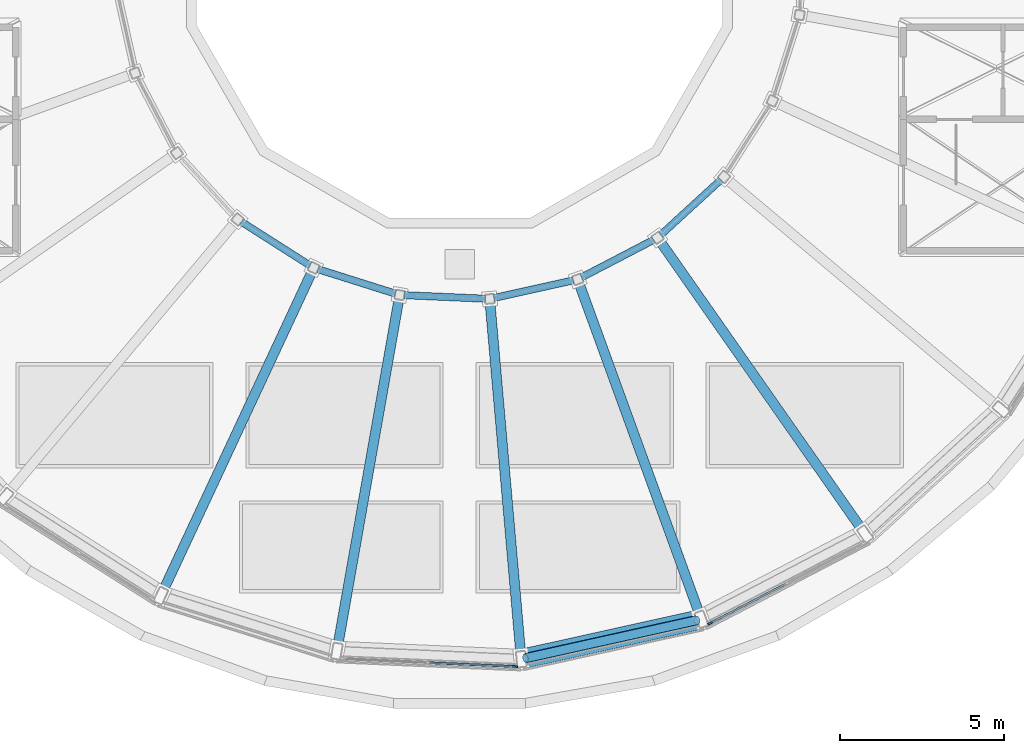
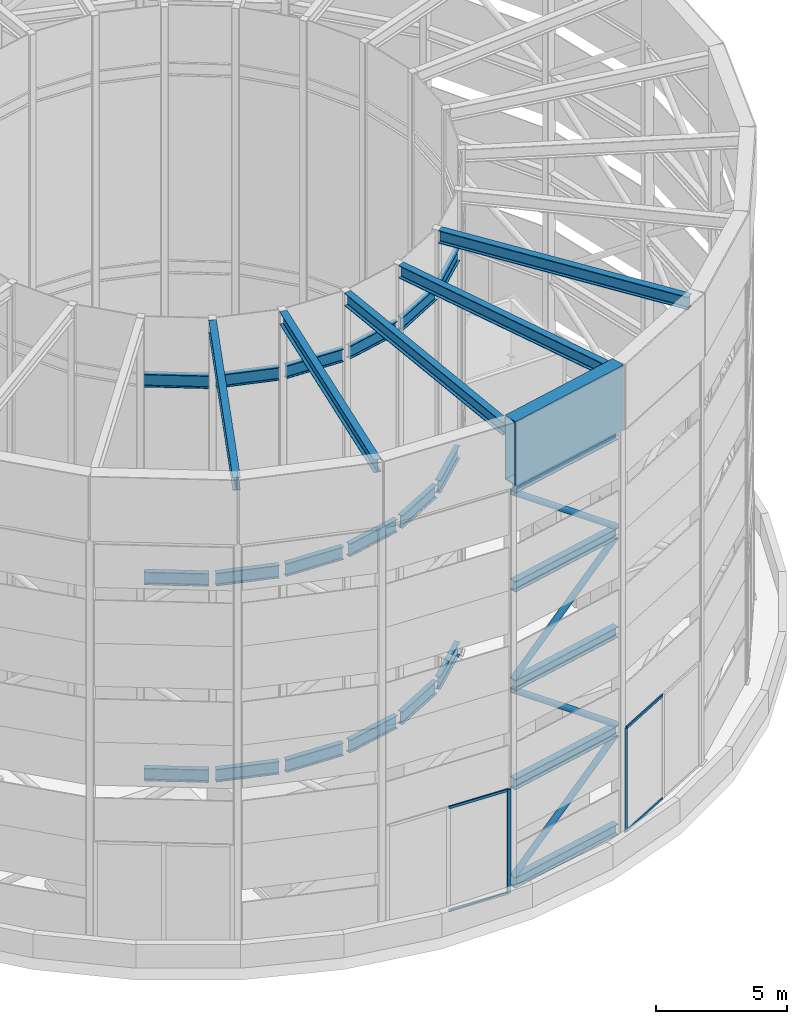
# One storey, part 5 of 20: 29 beams, 10 members, 2 elements without a shape of their own.
"""IFC4 building model written with IfcOpenShell, lengths in metres."""

from ifc_helpers import new_model, si_unit, direction, frame, origin, origin_2d, place, context, subcontext, project, spatial, rectangle, hollow_rectangle, hollow_circle, i_section, extrude, material, layer, layer_set, material_profile, profile_set, type_object, element, aggregate, save


model = new_model("IFC4")

# Units and contexts
model_context = context("Model", 3, precision=1e-05, world=origin(), true_north=direction((0.0, 1.0)))
body_context = subcontext(model_context, "Body", "Model", "MODEL_VIEW")
ifc_project = project(units=[si_unit("LENGTHUNIT", "METRE"), si_unit("AREAUNIT", "SQUARE_METRE"), si_unit("VOLUMEUNIT", "CUBIC_METRE"), si_unit("PLANEANGLEUNIT", "RADIAN"), si_unit("MASSUNIT", "GRAM", prefix="KILO")], contexts=[model_context])

# Site, building, storey
site_placement = place(None, origin())
site = spatial("IfcSite", under=ifc_project, at=site_placement, CompositionType="ELEMENT")
building_placement = place(site_placement, origin())
building = spatial("IfcBuilding", under=site, at=building_placement, Name="Saqina Gate Tower", CompositionType="ELEMENT")
storey_placement = place(building_placement, frame((0.0, 0.0, 284.199951171875)))
storey = spatial("IfcBuildingStorey", under=building, at=storey_placement, Name="RF", CompositionType="ELEMENT", Elevation=284.199951171875)

# Curtain wall, member
ifc_material_1 = material(Name="Aluminium glazing", Category="aluminium")
ifc_layer = layer(ifc_material_1, 0.159912109375)
ifc_layer_set = layer_set([ifc_layer], Name="CWT-5")
curtain_wall_type = type_object("IfcCurtainWallType", Name="CWT-5", PredefinedType="NOTDEFINED", material=ifc_layer_set)
curtain_wall_1_placement = place(storey_placement, origin())
curtain_wall_1 = element("IfcCurtainWall", 1, at=curtain_wall_1_placement, inside=storey, type_object=curtain_wall_type, Name="Crown glazing bay 18", PredefinedType="NOTDEFINED")
ifc_material_2 = material(Name="Aluminium", Category="aluminium")
ifc_material_profile_1 = material_profile(ifc_material_2, rectangle(XDim=0.06005859375, YDim=0.159912109375, at=origin_2d()), Name="Aluminium 60x160")
ifc_profile_set_1 = profile_set([ifc_material_profile_1], Name="Aluminium")
member_type_1 = type_object("IfcMemberType", Name="CWT-5M", PredefinedType="MULLION", material=ifc_profile_set_1)
member_1_placement = place(storey_placement, frame((1.68310546875, -21.64013671875, 0.0), z_axis=(0.0, 0.0, 1.0), x_axis=(0.043629254589, 0.999047790721, 0.0)))
member_1 = element("IfcMember", 2, at=member_1_placement, type_object=member_type_1, Name="CW5-18 mullion 3", PredefinedType="MULLION", context=body_context, shape_type="SweptSolid", body=[
    extrude(rectangle(XDim=0.06005859375, YDim=0.159912109375, at=origin_2d()), origin(), (0.0, 0.0, 1.0), 4.875),
])

curtain_wall_2_placement = place(storey_placement, origin())
curtain_wall_2 = element("IfcCurtainWall", 3, at=curtain_wall_2_placement, inside=storey, type_object=curtain_wall_type, Name="Crown glazing bay 20", PredefinedType="NOTDEFINED")
member_2_placement = place(storey_placement, frame((7.6201171875, -20.32373046875, 0.0), z_axis=(0.0, 0.0, 1.0), x_axis=(-0.461751109849, 0.887009533519, 0.0)))
member_2 = element("IfcMember", 4, at=member_2_placement, type_object=member_type_1, Name="CW5-20 mullion 1", PredefinedType="MULLION", context=body_context, shape_type="SweptSolid", body=[
    extrude(rectangle(XDim=0.06005859375, YDim=0.159912109375, at=origin_2d()), origin(), (0.0, 0.0, 1.0), 4.875),
])

# Member
ifc_material_3 = material(Name="Aluminium", Category="aluminium")
ifc_material_profile_2 = material_profile(ifc_material_3, rectangle(XDim=0.06005859375, YDim=0.1201171875, at=origin_2d()), Name="Aluminium 60x120")
ifc_profile_set_2 = profile_set([ifc_material_profile_2], Name="Aluminium")
member_type_2 = type_object("IfcMemberType", Name="CWT-5T", PredefinedType="USERDEFINED", material=ifc_profile_set_2)
member_3_placement = place(storey_placement, frame((-0.909912109375, -21.52685546875, 0.030029296875), z_axis=(0.999049683206, -0.043585897781, 0.0), x_axis=(0.043585897781, 0.999049683206, 0.0)))
member_3 = element("IfcMember", 5, at=member_3_placement, type_object=member_type_2, Name="CW5-18 transom 2.1", ObjectType="TRANSOM", PredefinedType="USERDEFINED", context=body_context, shape_type="SweptSolid", body=[
    extrude(rectangle(XDim=0.06005859375, YDim=0.1201171875, at=origin_2d()), origin(), (0.0, 0.0, 1.0), 2.5654296875),
])

member_4_placement = place(storey_placement, frame((-0.909912109375, -21.52685546875, 4.844970703125), z_axis=(0.999049683206, -0.043585897781, 0.0), x_axis=(0.043585897781, 0.999049683206, 0.0)))
member_4 = element("IfcMember", 6, at=member_4_placement, type_object=member_type_2, Name="CW5-18 transom 2.2", ObjectType="TRANSOM", PredefinedType="USERDEFINED", context=body_context, shape_type="SweptSolid", body=[
    extrude(rectangle(XDim=0.06005859375, YDim=0.1201171875, at=origin_2d()), origin(), (0.0, 0.0, 1.0), 2.5654296875),
])

aggregate(curtain_wall_1, [member_1, member_3, member_4])

member_5_placement = place(storey_placement, frame((7.646728515625, -20.31005859375, 0.030029296875), z_axis=(0.887018841903, 0.461733228292, 0.0), x_axis=(-0.461733228292, 0.887018841903, 0.0)))
member_5 = element("IfcMember", 7, at=member_5_placement, type_object=member_type_2, Name="CW5-20 transom 1.1", ObjectType="TRANSOM", PredefinedType="USERDEFINED", context=body_context, shape_type="SweptSolid", body=[
    extrude(rectangle(XDim=0.06005859375, YDim=0.1201171875, at=origin_2d()), origin(), (0.0, 0.0, 1.0), 2.5654296875),
])

member_6_placement = place(storey_placement, frame((7.646728515625, -20.31005859375, 4.844970703125), z_axis=(0.887018841903, 0.461733228292, 0.0), x_axis=(-0.461733228292, 0.887018841903, 0.0)))
member_6 = element("IfcMember", 8, at=member_6_placement, type_object=member_type_2, Name="CW5-20 transom 1.2", ObjectType="TRANSOM", PredefinedType="USERDEFINED", context=body_context, shape_type="SweptSolid", body=[
    extrude(rectangle(XDim=0.06005859375, YDim=0.1201171875, at=origin_2d()), origin(), (0.0, 0.0, 1.0), 2.5654296875),
])

aggregate(curtain_wall_2, [member_2, member_5, member_6])

# Beams
ifc_material_4 = material(Name="Steel S460", Category="steel")
ifc_material_profile_3 = material_profile(ifc_material_4, hollow_rectangle(XDim=0.60009765625, YDim=3.0, WallThickness=0.0400390625, at=origin_2d()), Name="BOX 600x3000x40")
ifc_profile_set_3 = profile_set([ifc_material_profile_3], Name="Steel S460")
beam_type_1 = type_object("IfcBeamType", Name="STR-CROWN CAP GIRDER-BOX 600x3000x40", PredefinedType="BEAM", material=ifc_profile_set_3)
beam_1_placement = place(storey_placement, frame((1.873779296875, -21.418212890625, 20.5), z_axis=(0.976295425331, 0.216442238202, 0.0), x_axis=(-0.216442238202, 0.976295425331, 0.0)))
element("IfcBeam", 9, at=beam_1_placement, inside=storey, type_object=beam_type_1, Name="CROWN CAP GIRDER 19", PredefinedType="BEAM", context=body_context, shape_type="SweptSolid", body=[
    extrude(hollow_rectangle(XDim=0.60009765625, YDim=3.0, WallThickness=0.0400390625, at=origin_2d()), origin(), (0.0, 0.0, 1.0), 5.61279296875),
])
ifc_material_5 = material(Name="Steel S460", Category="steel")
ifc_material_profile_4 = material_profile(ifc_material_5, i_section(OverallWidth=0.300048828125, OverallDepth=0.60009765625, WebThickness=0.015380859375, FlangeThickness=0.030029296875, FilletRadius=0.027099609375, at=origin_2d()), Name="HE 600 B")
ifc_profile_set_4 = profile_set([ifc_material_profile_4], Name="Steel S460")
beam_type_2 = type_object("IfcBeamType", Name="STR-CROWN DECK BEAM-HE 600 B", PredefinedType="BEAM", material=ifc_profile_set_4)
for number, where, z_axis, x_axis, name in (
    (10, (-4.4931640625, -9.6357421875, 21.400146484375), (-0.422623655806, -0.906305271723, 0.0), (0.906305271723, -0.422623655806, 0.0), "CROWN DECK BEAM 17"),
    (11, (-1.84619140625, -10.470458984375, 21.400146484375), (-0.173656179436, -0.984806342051, 0.0), (0.984806342051, -0.173656179436, 0.0), "CROWN DECK BEAM 18"),
    (12, (0.9267578125, -10.591552734375, 21.400146484375), (0.087140011874, -0.99619607424, 0.0), (0.99619607424, 0.087140011874, 0.0), "CROWN DECK BEAM 19"),
):
    element("IfcBeam", number, at=place(storey_placement, frame(where, z_axis=z_axis, x_axis=x_axis)), inside=storey, type_object=beam_type_2, Name=name, PredefinedType="BEAM", context=body_context, shape_type="SweptSolid", body=[
        extrude(i_section(OverallWidth=0.300048828125, OverallDepth=0.60009765625, WebThickness=0.015380859375, FlangeThickness=0.030029296875, FilletRadius=0.027099609375, at=origin_2d()), origin(), (0.0, 0.0, 1.0), 10.568115234375),
    ])
beam_2_placement = place(storey_placement, frame((3.636474609375, -9.99072265625, 21.400146484375), z_axis=(0.342002737309, -0.939698955875, 0.0), x_axis=(0.939698955875, 0.342002737309, 0.0)))
element("IfcBeam", 13, at=beam_2_placement, inside=storey, type_object=beam_type_2, Name="CROWN DECK BEAM 20", PredefinedType="BEAM", context=body_context, shape_type="SweptSolid", body=[
    extrude(i_section(OverallWidth=0.300048828125, OverallDepth=0.60009765625, WebThickness=0.015380859375, FlangeThickness=0.030029296875, FilletRadius=0.027099609375, at=origin_2d()), origin(), (0.0, 0.0, 1.0), 10.56787109375),
])
beam_3_placement = place(storey_placement, frame((6.09814453125, -8.709228515625, 21.400146484375), z_axis=(0.573592574994, -0.819140743652, 0.0), x_axis=(0.819140743652, 0.573592574994, 0.0)))
element("IfcBeam", 14, at=beam_3_placement, inside=storey, type_object=beam_type_2, Name="CROWN DECK BEAM 21", PredefinedType="BEAM", context=body_context, shape_type="SweptSolid", body=[
    extrude(i_section(OverallWidth=0.300048828125, OverallDepth=0.60009765625, WebThickness=0.015380859375, FlangeThickness=0.030029296875, FilletRadius=0.027099609375, at=origin_2d()), origin(), (0.0, 0.0, 1.0), 10.568115234375),
])

# Members
ifc_material_6 = material(Name="Steel S460", Category="steel")
ifc_material_profile_5 = material_profile(ifc_material_6, hollow_circle(Radius=0.136474609375, WallThickness=0.012451171875, at=origin_2d()), Name="CHS 273x12.5")
ifc_profile_set_5 = profile_set([ifc_material_profile_5], Name="Steel S460")
member_type_3 = type_object("IfcMemberType", Name="STR-CROWN FRAME BRACE-CHS 273x12.5", PredefinedType="BRACE", material=ifc_profile_set_5)
for number, where, z_axis, x_axis, name in (
    (15, (7.225341796875, -20.231689453125, 5.113037109375), (-0.771504315764, -0.171032716507, 0.6128041291), (0.216432771955, -0.976297523926, 0.0), "CROWN FRAME BRACE 2-19"),
    (16, (2.001953125, -21.3896484375, 9.738037109375), (0.771504315764, 0.171032716507, 0.6128041291), (-0.216432771955, 0.976297523926, 0.0), "CROWN FRAME BRACE 3-19"),
    (17, (7.225341796875, -20.231689453125, 14.363037109375), (-0.771504315764, -0.171032716507, 0.6128041291), (0.216432771955, -0.976297523926, 0.0), "CROWN FRAME BRACE 4-19"),
):
    element("IfcMember", number, at=place(storey_placement, frame(where, z_axis=z_axis, x_axis=x_axis)), inside=storey, type_object=member_type_3, Name=name, PredefinedType="BRACE", context=body_context, shape_type="SweptSolid", body=[
        extrude(hollow_circle(Radius=0.136474609375, WallThickness=0.012451171875, at=origin_2d()), origin(), (0.0, 0.0, 1.0), 6.7705078125),
    ])
ifc_material_7 = material(Name="Steel S460", Category="steel")
ifc_material_profile_6 = material_profile(ifc_material_7, hollow_circle(Radius=0.136474609375, WallThickness=0.02490234375, at=origin_2d()), Name="CHS 273x25")
ifc_profile_set_6 = profile_set([ifc_material_profile_6], Name="Steel S460")
member_type_4 = type_object("IfcMemberType", Name="STR-CROWN FRAME BRACE-CHS 273x25", PredefinedType="BRACE", material=ifc_profile_set_6)
member_7_placement = place(storey_placement, frame((2.001953125, -21.3896484375, 0.512939453125), z_axis=(0.77324390987, 0.171418362445, 0.610499468358), x_axis=(-0.216432771955, 0.976297523926, 0.0)))
element("IfcMember", 18, at=member_7_placement, inside=storey, type_object=member_type_4, Name="CROWN FRAME BRACE 1-19", PredefinedType="BRACE", context=body_context, shape_type="SweptSolid", body=[
    extrude(hollow_circle(Radius=0.136474609375, WallThickness=0.02490234375, at=origin_2d()), origin(), (0.0, 0.0, 1.0), 6.755126953125),
])

# Beams
ifc_material_8 = material(Name="Steel S460", Category="steel")
ifc_material_profile_7 = material_profile(ifc_material_8, i_section(OverallWidth=0.219970703125, OverallDepth=0.60009765625, WebThickness=0.011962890625, FlangeThickness=0.01904296875, FilletRadius=0.02392578125, at=origin_2d()), Name="IPE 600")
ifc_profile_set_7 = profile_set([ifc_material_profile_7], Name="Steel S460")
beam_type_3 = type_object("IfcBeamType", Name="STR-CROWN RING BEAM INNER-IPE 600", PredefinedType="BEAM", material=ifc_profile_set_7)
beam_4_placement = place(storey_placement, frame((-6.638427734375, -8.114013671875, 0.324951171875), z_axis=(0.843344949975, -0.537372585225, 0.0), x_axis=(0.537372585225, 0.843344949975, 0.0)))
element("IfcBeam", 19, at=beam_4_placement, inside=storey, type_object=beam_type_3, Name="CROWN RING BEAM INNER 1-16", PredefinedType="BEAM", context=body_context, shape_type="SweptSolid", body=[
    extrude(i_section(OverallWidth=0.219970703125, OverallDepth=0.60009765625, WebThickness=0.011962890625, FlangeThickness=0.01904296875, FilletRadius=0.02392578125, at=origin_2d()), origin(), (0.0, 0.0, 1.0), 2.478271484375),
])
for number, where, z_axis, x_axis, name in (
    (20, (-4.312255859375, -9.5556640625, 0.324951171875), (0.953709121727, -0.300730628861, 0.0), (0.300730628861, 0.953709121727, 0.0), "CROWN RING BEAM INNER 1-17"),
    (21, (-1.692138671875, -10.34619140625, 0.324951171875), (0.999047402719, -0.043638138376, 0.0), (0.043638138376, 0.999047402719, 0.0), "CROWN RING BEAM INNER 1-18"),
):
    element("IfcBeam", number, at=place(storey_placement, frame(where, z_axis=z_axis, x_axis=x_axis)), inside=storey, type_object=beam_type_3, Name=name, PredefinedType="BEAM", context=body_context, shape_type="SweptSolid", body=[
        extrude(i_section(OverallWidth=0.219970703125, OverallDepth=0.60009765625, WebThickness=0.011962890625, FlangeThickness=0.01904296875, FilletRadius=0.02392578125, at=origin_2d()), origin(), (0.0, 0.0, 1.0), 2.478515625),
    ])
beam_5_placement = place(storey_placement, frame((1.043212890625, -10.431640625, 0.324951171875), z_axis=(0.976305112027, 0.216398540267, 0.0), x_axis=(-0.216398540267, 0.976305112027, 0.0)))
element("IfcBeam", 22, at=beam_5_placement, inside=storey, type_object=beam_type_3, Name="CROWN RING BEAM INNER 1-19", PredefinedType="BEAM", context=body_context, shape_type="SweptSolid", body=[
    extrude(i_section(OverallWidth=0.219970703125, OverallDepth=0.60009765625, WebThickness=0.011962890625, FlangeThickness=0.01904296875, FilletRadius=0.02392578125, at=origin_2d()), origin(), (0.0, 0.0, 1.0), 2.478759765625),
])
beam_6_placement = place(storey_placement, frame((3.707763671875, -9.80615234375, 0.324951171875), z_axis=(0.886977977258, 0.461811723388, 0.0), x_axis=(-0.461811723388, 0.886977977258, 0.0)))
element("IfcBeam", 23, at=beam_6_placement, inside=storey, type_object=beam_type_3, Name="CROWN RING BEAM INNER 1-20", PredefinedType="BEAM", context=body_context, shape_type="SweptSolid", body=[
    extrude(i_section(OverallWidth=0.219970703125, OverallDepth=0.60009765625, WebThickness=0.011962890625, FlangeThickness=0.01904296875, FilletRadius=0.02392578125, at=origin_2d()), origin(), (0.0, 0.0, 1.0), 2.478271484375),
])
beam_7_placement = place(storey_placement, frame((6.119384765625, -8.512451171875, 0.324951171875), z_axis=(0.737264523509, 0.675604190614, 0.0), x_axis=(-0.675604190614, 0.737264523509, 0.0)))
element("IfcBeam", 24, at=beam_7_placement, inside=storey, type_object=beam_type_3, Name="CROWN RING BEAM INNER 1-21", PredefinedType="BEAM", context=body_context, shape_type="SweptSolid", body=[
    extrude(i_section(OverallWidth=0.219970703125, OverallDepth=0.60009765625, WebThickness=0.011962890625, FlangeThickness=0.01904296875, FilletRadius=0.02392578125, at=origin_2d()), origin(), (0.0, 0.0, 1.0), 2.478515625),
])
beam_8_placement = place(storey_placement, frame((-6.638427734375, -8.114013671875, 9.5), z_axis=(0.843344949975, -0.537372585225, 0.0), x_axis=(0.537372585225, 0.843344949975, 0.0)))
element("IfcBeam", 25, at=beam_8_placement, inside=storey, type_object=beam_type_3, Name="CROWN RING BEAM INNER 3-16", PredefinedType="BEAM", context=body_context, shape_type="SweptSolid", body=[
    extrude(i_section(OverallWidth=0.219970703125, OverallDepth=0.60009765625, WebThickness=0.011962890625, FlangeThickness=0.01904296875, FilletRadius=0.02392578125, at=origin_2d()), origin(), (0.0, 0.0, 1.0), 2.478271484375),
])
for number, where, z_axis, x_axis, name in (
    (26, (-4.312255859375, -9.5556640625, 9.5), (0.953709121727, -0.300730628861, 0.0), (0.300730628861, 0.953709121727, 0.0), "CROWN RING BEAM INNER 3-17"),
    (27, (-1.692138671875, -10.34619140625, 9.5), (0.999047402719, -0.043638138376, 0.0), (0.043638138376, 0.999047402719, 0.0), "CROWN RING BEAM INNER 3-18"),
):
    element("IfcBeam", number, at=place(storey_placement, frame(where, z_axis=z_axis, x_axis=x_axis)), inside=storey, type_object=beam_type_3, Name=name, PredefinedType="BEAM", context=body_context, shape_type="SweptSolid", body=[
        extrude(i_section(OverallWidth=0.219970703125, OverallDepth=0.60009765625, WebThickness=0.011962890625, FlangeThickness=0.01904296875, FilletRadius=0.02392578125, at=origin_2d()), origin(), (0.0, 0.0, 1.0), 2.478515625),
    ])
beam_9_placement = place(storey_placement, frame((1.043212890625, -10.431640625, 9.5), z_axis=(0.976305112027, 0.216398540267, 0.0), x_axis=(-0.216398540267, 0.976305112027, 0.0)))
element("IfcBeam", 28, at=beam_9_placement, inside=storey, type_object=beam_type_3, Name="CROWN RING BEAM INNER 3-19", PredefinedType="BEAM", context=body_context, shape_type="SweptSolid", body=[
    extrude(i_section(OverallWidth=0.219970703125, OverallDepth=0.60009765625, WebThickness=0.011962890625, FlangeThickness=0.01904296875, FilletRadius=0.02392578125, at=origin_2d()), origin(), (0.0, 0.0, 1.0), 2.478759765625),
])
beam_10_placement = place(storey_placement, frame((3.707763671875, -9.80615234375, 9.5), z_axis=(0.886977977258, 0.461811723388, 0.0), x_axis=(-0.461811723388, 0.886977977258, 0.0)))
element("IfcBeam", 29, at=beam_10_placement, inside=storey, type_object=beam_type_3, Name="CROWN RING BEAM INNER 3-20", PredefinedType="BEAM", context=body_context, shape_type="SweptSolid", body=[
    extrude(i_section(OverallWidth=0.219970703125, OverallDepth=0.60009765625, WebThickness=0.011962890625, FlangeThickness=0.01904296875, FilletRadius=0.02392578125, at=origin_2d()), origin(), (0.0, 0.0, 1.0), 2.478271484375),
])
beam_11_placement = place(storey_placement, frame((6.119384765625, -8.512451171875, 9.5), z_axis=(0.737264523509, 0.675604190614, 0.0), x_axis=(-0.675604190614, 0.737264523509, 0.0)))
element("IfcBeam", 30, at=beam_11_placement, inside=storey, type_object=beam_type_3, Name="CROWN RING BEAM INNER 3-21", PredefinedType="BEAM", context=body_context, shape_type="SweptSolid", body=[
    extrude(i_section(OverallWidth=0.219970703125, OverallDepth=0.60009765625, WebThickness=0.011962890625, FlangeThickness=0.01904296875, FilletRadius=0.02392578125, at=origin_2d()), origin(), (0.0, 0.0, 1.0), 2.478515625),
])
beam_12_placement = place(storey_placement, frame((-6.638427734375, -8.114013671875, 18.75), z_axis=(0.843344949975, -0.537372585225, 0.0), x_axis=(0.537372585225, 0.843344949975, 0.0)))
element("IfcBeam", 31, at=beam_12_placement, inside=storey, type_object=beam_type_3, Name="CROWN RING BEAM INNER 5-16", PredefinedType="BEAM", context=body_context, shape_type="SweptSolid", body=[
    extrude(i_section(OverallWidth=0.219970703125, OverallDepth=0.60009765625, WebThickness=0.011962890625, FlangeThickness=0.01904296875, FilletRadius=0.02392578125, at=origin_2d()), origin(), (0.0, 0.0, 1.0), 2.478271484375),
])
for number, where, z_axis, x_axis, name in (
    (32, (-4.312255859375, -9.5556640625, 18.75), (0.953709121727, -0.300730628861, 0.0), (0.300730628861, 0.953709121727, 0.0), "CROWN RING BEAM INNER 5-17"),
    (33, (-1.692138671875, -10.34619140625, 18.75), (0.999047402719, -0.043638138376, 0.0), (0.043638138376, 0.999047402719, 0.0), "CROWN RING BEAM INNER 5-18"),
):
    element("IfcBeam", number, at=place(storey_placement, frame(where, z_axis=z_axis, x_axis=x_axis)), inside=storey, type_object=beam_type_3, Name=name, PredefinedType="BEAM", context=body_context, shape_type="SweptSolid", body=[
        extrude(i_section(OverallWidth=0.219970703125, OverallDepth=0.60009765625, WebThickness=0.011962890625, FlangeThickness=0.01904296875, FilletRadius=0.02392578125, at=origin_2d()), origin(), (0.0, 0.0, 1.0), 2.478515625),
    ])
beam_13_placement = place(storey_placement, frame((1.043212890625, -10.431640625, 18.75), z_axis=(0.976305112027, 0.216398540267, 0.0), x_axis=(-0.216398540267, 0.976305112027, 0.0)))
element("IfcBeam", 34, at=beam_13_placement, inside=storey, type_object=beam_type_3, Name="CROWN RING BEAM INNER 5-19", PredefinedType="BEAM", context=body_context, shape_type="SweptSolid", body=[
    extrude(i_section(OverallWidth=0.219970703125, OverallDepth=0.60009765625, WebThickness=0.011962890625, FlangeThickness=0.01904296875, FilletRadius=0.02392578125, at=origin_2d()), origin(), (0.0, 0.0, 1.0), 2.478759765625),
])
beam_14_placement = place(storey_placement, frame((3.707763671875, -9.80615234375, 18.75), z_axis=(0.886977977258, 0.461811723388, 0.0), x_axis=(-0.461811723388, 0.886977977258, 0.0)))
element("IfcBeam", 35, at=beam_14_placement, inside=storey, type_object=beam_type_3, Name="CROWN RING BEAM INNER 5-20", PredefinedType="BEAM", context=body_context, shape_type="SweptSolid", body=[
    extrude(i_section(OverallWidth=0.219970703125, OverallDepth=0.60009765625, WebThickness=0.011962890625, FlangeThickness=0.01904296875, FilletRadius=0.02392578125, at=origin_2d()), origin(), (0.0, 0.0, 1.0), 2.478271484375),
])
beam_15_placement = place(storey_placement, frame((6.119384765625, -8.512451171875, 18.75), z_axis=(0.737264523509, 0.675604190614, 0.0), x_axis=(-0.675604190614, 0.737264523509, 0.0)))
element("IfcBeam", 36, at=beam_15_placement, inside=storey, type_object=beam_type_3, Name="CROWN RING BEAM INNER 5-21", PredefinedType="BEAM", context=body_context, shape_type="SweptSolid", body=[
    extrude(i_section(OverallWidth=0.219970703125, OverallDepth=0.60009765625, WebThickness=0.011962890625, FlangeThickness=0.01904296875, FilletRadius=0.02392578125, at=origin_2d()), origin(), (0.0, 0.0, 1.0), 2.478515625),
])
ifc_material_9 = material(Name="Steel S460", Category="steel")
ifc_material_profile_8 = material_profile(ifc_material_9, i_section(OverallWidth=0.300048828125, OverallDepth=0.5, WebThickness=0.014404296875, FlangeThickness=0.028076171875, FilletRadius=0.027099609375, at=origin_2d()), Name="HE 500 B")
ifc_profile_set_8 = profile_set([ifc_material_profile_8], Name="Steel S460")
beam_type_4 = type_object("IfcBeamType", Name="STR-CROWN RING BEAM-HE 500 B", PredefinedType="BEAM", material=ifc_profile_set_8)
for number, where, z_axis, x_axis, name in (
    (37, (2.001953125, -21.3896484375, 0.275146484375), (0.976297523926, 0.216432771955, 0.0), (-0.216432771955, 0.976297523926, 0.0), "CROWN RING BEAM 1-19"),
    (38, (2.001953125, -21.3896484375, 4.875), (0.976297523926, 0.216432771955, 0.0), (-0.216432771955, 0.976297523926, 0.0), "CROWN RING BEAM 2-19"),
    (39, (2.001953125, -21.3896484375, 9.5), (0.976297523926, 0.216432771955, 0.0), (-0.216432771955, 0.976297523926, 0.0), "CROWN RING BEAM 3-19"),
    (40, (2.001953125, -21.3896484375, 14.125), (0.976297523926, 0.216432771955, 0.0), (-0.216432771955, 0.976297523926, 0.0), "CROWN RING BEAM 4-19"),
    (41, (2.001953125, -21.3896484375, 18.75), (0.976297523926, 0.216432771955, 0.0), (-0.216432771955, 0.976297523926, 0.0), "CROWN RING BEAM 5-19"),
):
    element("IfcBeam", number, at=place(storey_placement, frame(where, z_axis=z_axis, x_axis=x_axis)), inside=storey, type_object=beam_type_4, Name=name, PredefinedType="BEAM", context=body_context, shape_type="SweptSolid", body=[
        extrude(i_section(OverallWidth=0.300048828125, OverallDepth=0.5, WebThickness=0.014404296875, FlangeThickness=0.028076171875, FilletRadius=0.027099609375, at=origin_2d()), origin(), (0.0, 0.0, 1.0), 5.35009765625),
    ])

save(model, "model.ifc")
